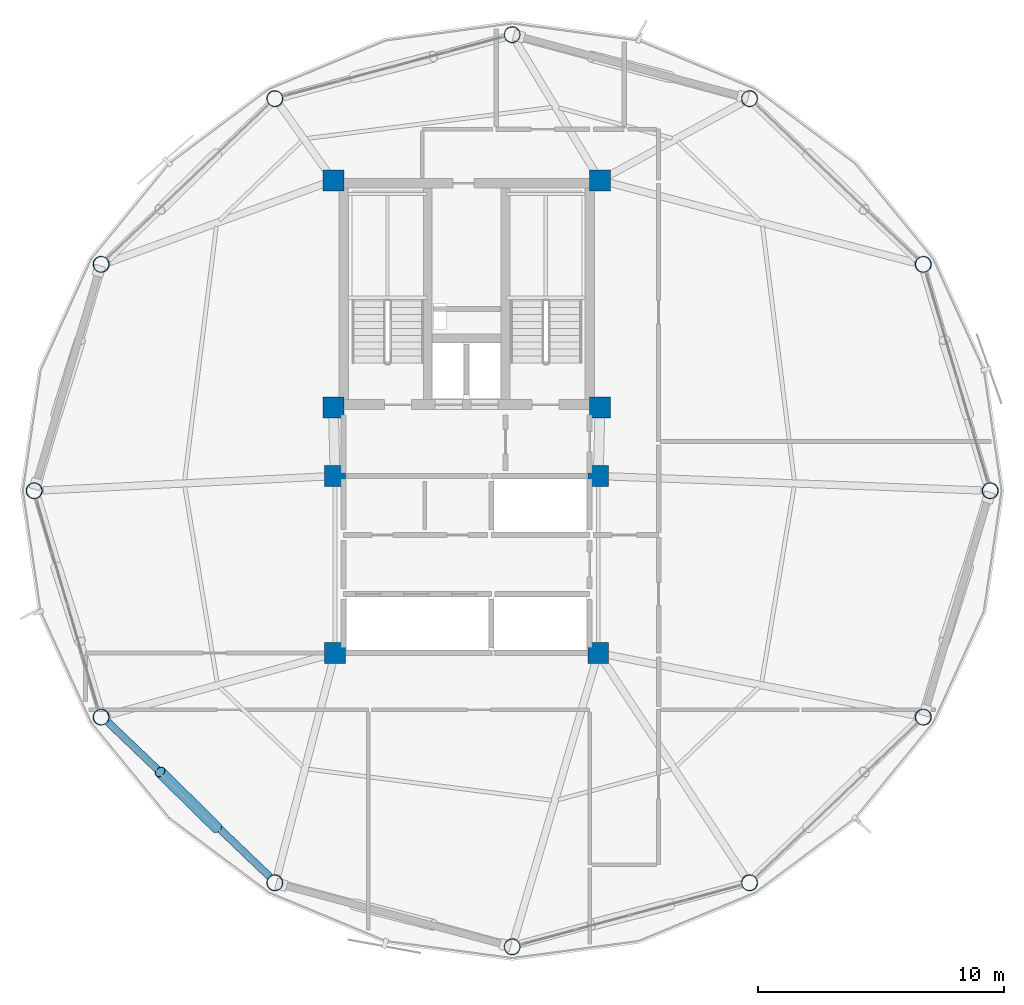
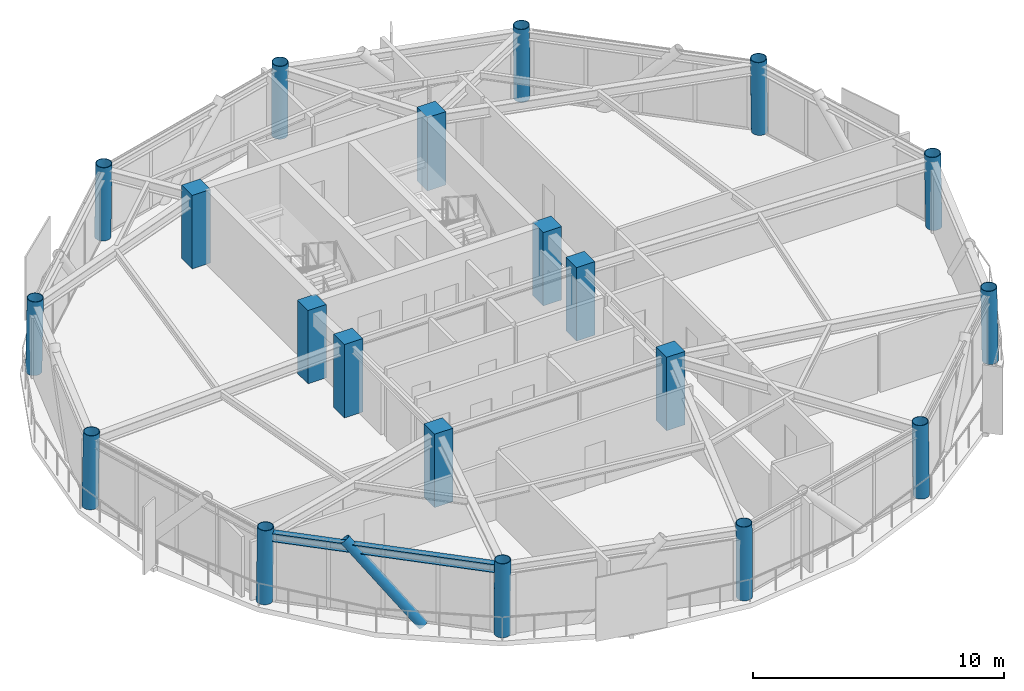
# One storey, part 1 of 28: 20 columns, 1 beam, 1 member.
"""IFC4 building model written with IfcOpenShell, lengths in metres."""

import ifcopenshell
import ifcopenshell.guid

model = None  # the IFC model being written
_history = None  # IfcOwnerHistory: only IFC2X3 demands one
_inside = {}  # id of a spatial element -> (the spatial element, [elements in it])
_under = {}  # id of a project, library or spatial element -> (it, [spatial elements below it])
_declared = {}  # id of a project -> (the project, [libraries it declares])
_typed = {}  # id of a type object -> (the type object, [elements of that type])
_made_of = {}  # id of a material, layer set ... -> (it, [elements and type objects made of it])


def new_model(schema):
    """Start an empty IFC model of exactly this schema.

    Asked for "IFC4X3", IfcOpenShell would pick the latest addendum, in which some entities
    have other attributes; the version numbers below select the first issue.
    IFC2X3 requires an IfcOwnerHistory on every rooted entity: one is made here for all.
    """
    global model, _history
    if schema == "IFC4X3":
        model = ifcopenshell.file(schema_version=(4, 3, 0, 0))
    else:
        model = ifcopenshell.file(schema=schema)
    _inside.clear()
    _under.clear()
    _declared.clear()
    _typed.clear()
    _made_of.clear()
    _history = None
    if model.schema == "IFC2X3":
        org = make("IfcOrganization", Name="unknown")
        user = make(
            "IfcPersonAndOrganization",
            ThePerson=make("IfcPerson", FamilyName="unknown"),
            TheOrganization=org,
        )
        app = make(
            "IfcApplication",
            ApplicationDeveloper=org,
            Version="unknown",
            ApplicationFullName="unknown",
            ApplicationIdentifier="unknown",
        )
        _history = make(
            "IfcOwnerHistory",
            OwningUser=user,
            OwningApplication=app,
            ChangeAction="ADDED",
            CreationDate=0,
        )
    return model


def make(cls, **values):
    """One entity of the class cls with the attributes given. An attribute that is None is left unset."""
    return model.create_entity(
        cls, **{name: value for name, value in values.items() if value is not None}
    )


def rooted(cls, **values):
    """An entity with a GlobalId (a new one), such as an element, a storey or a relation."""
    return make(cls, GlobalId=ifcopenshell.guid.new(), OwnerHistory=_history, **values)


def si_unit(unit_type, name, prefix=None):
    """IfcSIUnit, for example si_unit("LENGTHUNIT", "METRE", prefix="MILLI")."""
    return make("IfcSIUnit", UnitType=unit_type, Prefix=prefix, Name=name)


def assignment(units):
    """IfcUnitAssignment: the units of a project."""
    return None if units is None else make("IfcUnitAssignment", Units=units)


def point(xyz):
    """IfcCartesianPoint."""
    return None if xyz is None else make("IfcCartesianPoint", Coordinates=xyz)


def direction(xyz):
    """IfcDirection."""
    return None if xyz is None else make("IfcDirection", DirectionRatios=xyz)


def frame(location, z_axis=None, x_axis=None):
    """IfcAxis2Placement3D, a coordinate frame: its origin and axes. An axis left out is left unset."""
    return make(
        "IfcAxis2Placement3D",
        Location=point(location),
        Axis=direction(z_axis),
        RefDirection=direction(x_axis),
    )


def frame_2d(location, x_axis=None):
    """IfcAxis2Placement2D, a coordinate frame in the plane: its origin and x axis."""
    return make(
        "IfcAxis2Placement2D", Location=point(location), RefDirection=direction(x_axis)
    )


def origin():
    """The frame at (0, 0, 0) with its axes left unset."""
    return frame((0.0, 0.0, 0.0))


def origin_2d():
    """The frame at (0, 0) in the plane with its x axis left unset."""
    return frame_2d((0.0, 0.0))


def place(relative_to, where):
    """IfcLocalPlacement: puts the frame where relative to a parent placement (None: the world)."""
    return make(
        "IfcLocalPlacement", PlacementRelTo=relative_to, RelativePlacement=where
    )


def context(
    kind, dimensions, precision=None, world=None, true_north=None, identifier=None
):
    """IfcGeometricRepresentationContext, for example the 3D "Model" context."""
    return make(
        "IfcGeometricRepresentationContext",
        ContextIdentifier=identifier,
        ContextType=kind,
        CoordinateSpaceDimension=dimensions,
        Precision=precision,
        WorldCoordinateSystem=world,
        TrueNorth=true_north,
    )


def subcontext(parent, identifier, kind, view, scale=None):
    """IfcGeometricRepresentationSubContext, for example "Body" below "Model"."""
    return make(
        "IfcGeometricRepresentationSubContext",
        ContextIdentifier=identifier,
        ContextType=kind,
        ParentContext=parent,
        TargetScale=scale,
        TargetView=view,
    )


def project(units=None, contexts=None):
    """IfcProject with its units and contexts."""
    return rooted(
        "IfcProject",
        Name="project",
        RepresentationContexts=contexts,
        UnitsInContext=assignment(units),
    )


def spatial(cls, under=None, at=None, **own):
    """A site, building, storey or space (cls), placed at a placement, below another one or the project."""
    s = rooted(cls, ObjectPlacement=at, **own)
    if under is not None:
        _under.setdefault(under.id(), (under, []))[1].append(s)
    return s


def profile(cls, at=None, kind="AREA", **sizes):
    """A parametric profile (cls). Its sizes go by their IFC names, for example OverallWidth=200.0."""
    return make(cls, ProfileType=kind, Position=at, **sizes)


def rectangle(**sizes):
    """IfcRectangleProfileDef."""
    return profile("IfcRectangleProfileDef", **sizes)


def hollow_circle(**sizes):
    """IfcCircleHollowProfileDef."""
    return profile("IfcCircleHollowProfileDef", **sizes)


def i_section(**sizes):
    """IfcIShapeProfileDef."""
    return profile("IfcIShapeProfileDef", **sizes)


def extrude(swept, where, along, depth):
    """IfcExtrudedAreaSolid: the profile swept, set in the frame where, extruded along a direction by depth."""
    return make(
        "IfcExtrudedAreaSolid",
        SweptArea=swept,
        Position=where,
        ExtrudedDirection=direction(along),
        Depth=depth,
    )


def shape(context_of_items, identifier, shape_type, items):
    """IfcShapeRepresentation: the items that make up one representation, for example the "Body"."""
    return make(
        "IfcShapeRepresentation",
        ContextOfItems=context_of_items,
        RepresentationIdentifier=identifier,
        RepresentationType=shape_type,
        Items=items,
    )


def material(Name=None, Category=None):
    """IfcMaterial."""
    return make("IfcMaterial", Name=Name, Category=Category)


def material_profile(
    of_material, cross_section, Name=None, Category=None, Priority=None
):
    """IfcMaterialProfile: a cross section and its material."""
    return make(
        "IfcMaterialProfile",
        Name=Name,
        Material=of_material,
        Profile=cross_section,
        Priority=Priority,
        Category=Category,
    )


def profile_set(profiles, Name=None, composite=None):
    """IfcMaterialProfileSet."""
    return make(
        "IfcMaterialProfileSet",
        Name=Name,
        MaterialProfiles=profiles,
        CompositeProfile=composite,
    )


def made_of(thing, what):
    """Note that an element or type object is made of a material, layer set ...; save() writes the relation."""
    if what is not None:
        _made_of.setdefault(what.id(), (what, []))[1].append(thing)
    return thing


def type_object(cls, material=None, **own):
    """A type object (cls), such as IfcWallType, which elements share."""
    return made_of(rooted(cls, **own), material)


def element(
    cls,
    number,
    at=None,
    inside=None,
    cuts=None,
    type_object=None,
    material=None,
    context=None,
    identifier="Body",
    shape_type=None,
    held_by="IfcProductDefinitionShape",
    body=None,
    shapes=None,
    **own,
):
    """One element of the class cls, such as IfcWall. Its Tag is "e" and its number.

    at: its placement. inside: the storey or other place that contains it. cuts: it is an
    opening in that element (IfcRelVoidsElement). A single representation is given by context,
    identifier, shape_type and body (its items); several are given by shapes. held_by: the class
    of the entity that holds the representations. save() writes the other relations.
    """
    e = rooted(cls, Tag="e%d" % number, ObjectPlacement=at, **own)
    if body is not None:
        shapes = [shape(context, identifier, shape_type, body)]
    if shapes is not None:
        e.Representation = make(held_by, Representations=shapes)
    if inside is not None:
        _inside.setdefault(inside.id(), (inside, []))[1].append(e)
    if cuts is not None:
        rooted(
            "IfcRelVoidsElement", RelatingBuildingElement=cuts, RelatedOpeningElement=e
        )
    if type_object is not None:
        _typed.setdefault(type_object.id(), (type_object, []))[1].append(e)
    return made_of(e, material)


def aggregate(whole, parts):
    """IfcRelAggregates: a whole, such as a stair, and the parts it consists of."""
    return rooted("IfcRelAggregates", RelatingObject=whole, RelatedObjects=parts)


def save(model, path):
    """Write the relations noted so far, then the file.

    IfcRelAggregates (storeys below a building ...), IfcRelContainedInSpatialStructure (elements
    in a storey), IfcRelDefinesByType, IfcRelAssociatesMaterial and IfcRelDeclares: one each for
    every whole, place, type object, material and project.
    """
    for whole, parts in _under.values():
        aggregate(whole, parts)
    for where, things in _inside.values():
        rooted(
            "IfcRelContainedInSpatialStructure",
            RelatedElements=things,
            RelatingStructure=where,
        )
    for kind, things in _typed.values():
        rooted("IfcRelDefinesByType", RelatedObjects=things, RelatingType=kind)
    for what, things in _made_of.values():
        rooted("IfcRelAssociatesMaterial", RelatedObjects=things, RelatingMaterial=what)
    for by, libraries in _declared.values():
        rooted("IfcRelDeclares", RelatingContext=by, RelatedDefinitions=libraries)
    model.write(path)


model = new_model("IFC4")

# Units and contexts
model_context = context("Model", 3, precision=1e-05, world=origin(), true_north=direction((0.0, 1.0)))
body_context = subcontext(model_context, "Body", "Model", "MODEL_VIEW")
ifc_project = project(units=[si_unit("LENGTHUNIT", "METRE"), si_unit("AREAUNIT", "SQUARE_METRE"), si_unit("VOLUMEUNIT", "CUBIC_METRE"), si_unit("PLANEANGLEUNIT", "RADIAN"), si_unit("MASSUNIT", "GRAM", prefix="KILO")], contexts=[model_context])

# Site, building, storey
site_placement = place(None, origin())
site = spatial("IfcSite", under=ifc_project, at=site_placement, CompositionType="ELEMENT")
building_placement = place(site_placement, origin())
building = spatial("IfcBuilding", under=site, at=building_placement, Name="Varnakorn Sky Granary", CompositionType="ELEMENT")
storey_placement = place(building_placement, frame((0.0, 0.0, 196.800048828125)))
storey = spatial("IfcBuildingStorey", under=building, at=storey_placement, Name="L49", CompositionType="ELEMENT", Elevation=196.800048828125)

# Columns
ifc_material_1 = material(Name="Steel S460M", Category="steel")
ifc_material_profile_1 = material_profile(ifc_material_1, hollow_circle(Radius=0.330078125, WallThickness=0.02490234375, at=origin_2d()), Name="CHS 660x25")
ifc_profile_set_1 = profile_set([ifc_material_profile_1], Name="Steel S460M")
column_type_1 = type_object("IfcColumnType", Name="COL-DC-Z4", PredefinedType="COLUMN", material=ifc_profile_set_1)
column_1_placement = place(storey_placement, frame((24.2939453125, 0.0, 0.0), z_axis=(-0.018981760075, 0.0, 0.999819830162), x_axis=(0.0, -1.0, 0.0)))
element("IfcColumn", 1, at=column_1_placement, inside=storey, type_object=column_type_1, Name="Drum Perimeter Column DC01 L49", PredefinedType="COLUMN", context=body_context, shape_type="SweptSolid", body=[
    extrude(hollow_circle(Radius=0.330078125, WallThickness=0.02490234375, at=origin_2d()), origin(), (0.0, 0.0, 1.0), 3.57568359375),
])
column_2_placement = place(storey_placement, frame((21.572021484375, 9.2060546875, 0.0), z_axis=(-0.016455959383, -0.00477973924, 0.999853166967), x_axis=(0.278928739366, -0.960311802674, 0.0)))
element("IfcColumn", 2, at=column_2_placement, inside=storey, type_object=column_type_1, Name="Drum Perimeter Column DC02 L49", PredefinedType="COLUMN", context=body_context, shape_type="SweptSolid", body=[
    extrude(hollow_circle(Radius=0.330078125, WallThickness=0.02490234375, at=origin_2d()), origin(), (0.0, 0.0, 1.0), 3.575439453125),
])
for number, where, z_axis, x_axis, name in (
    (3, (14.50439453125, 15.9453125, 0.0), (-0.00949183863, -0.008262679671, 0.999920813427), (0.656581650754, -0.754254954172, 0.0), "Drum Perimeter Column DC03 L49"),
    (4, (4.85009765625, 18.547119140625, 0.0), (0.0, -0.00956044538, 0.999954297898), (1.0, 0.0, 0.0), "Drum Perimeter Column DC04 L49"),
    (5, (-4.804443359375, 15.9453125, 0.0), (0.00949183863, -0.008262679671, 0.999920813427), (0.656581650754, 0.754254954172, 0.0), "Drum Perimeter Column DC05 L49"),
):
    element("IfcColumn", number, at=place(storey_placement, frame(where, z_axis=z_axis, x_axis=x_axis)), inside=storey, type_object=column_type_1, Name=name, PredefinedType="COLUMN", context=body_context, shape_type="SweptSolid", body=[
        extrude(hollow_circle(Radius=0.330078125, WallThickness=0.02490234375, at=origin_2d()), origin(), (0.0, 0.0, 1.0), 3.5751953125),
    ])
column_3_placement = place(storey_placement, frame((-11.8720703125, 9.2060546875, 0.0), z_axis=(0.016455959383, -0.00477973924, 0.999853166967), x_axis=(0.278928739366, 0.960311802674, 0.0)))
element("IfcColumn", 6, at=column_3_placement, inside=storey, type_object=column_type_1, Name="Drum Perimeter Column DC06 L49", PredefinedType="COLUMN", context=body_context, shape_type="SweptSolid", body=[
    extrude(hollow_circle(Radius=0.330078125, WallThickness=0.02490234375, at=origin_2d()), origin(), (0.0, 0.0, 1.0), 3.575439453125),
])
column_4_placement = place(storey_placement, frame((-14.593994140625, 0.0, 0.0), z_axis=(0.019050015053, 0.0, 0.999818531998), x_axis=(0.0, 1.0, 0.0)))
element("IfcColumn", 7, at=column_4_placement, inside=storey, type_object=column_type_1, Name="Drum Perimeter Column DC07 L49", PredefinedType="COLUMN", context=body_context, shape_type="SweptSolid", body=[
    extrude(hollow_circle(Radius=0.330078125, WallThickness=0.02490234375, at=origin_2d()), origin(), (0.0, 0.0, 1.0), 3.57568359375),
])
column_5_placement = place(storey_placement, frame((-11.8720703125, -9.2060546875, 0.0), z_axis=(0.016455959383, 0.00477973924, 0.999853166967), x_axis=(-0.278928739366, 0.960311802674, 0.0)))
element("IfcColumn", 8, at=column_5_placement, inside=storey, type_object=column_type_1, Name="Drum Perimeter Column DC08 L49", PredefinedType="COLUMN", context=body_context, shape_type="SweptSolid", body=[
    extrude(hollow_circle(Radius=0.330078125, WallThickness=0.02490234375, at=origin_2d()), origin(), (0.0, 0.0, 1.0), 3.575439453125),
])
for number, where, z_axis, x_axis, name in (
    (9, (-4.804443359375, -15.9453125, 0.0), (0.00949183863, 0.008262679671, 0.999920813427), (-0.656581650754, 0.754254954172, 0.0), "Drum Perimeter Column DC09 L49"),
    (10, (4.85009765625, -18.547119140625, 0.0), (0.0, 0.00956044538, 0.999954297898), (-1.0, 0.0, 0.0), "Drum Perimeter Column DC10 L49"),
    (11, (14.50439453125, -15.9453125, 0.0), (-0.00949183863, 0.008262679671, 0.999920813427), (-0.656581650754, -0.754254954172, 0.0), "Drum Perimeter Column DC11 L49"),
):
    element("IfcColumn", number, at=place(storey_placement, frame(where, z_axis=z_axis, x_axis=x_axis)), inside=storey, type_object=column_type_1, Name=name, PredefinedType="COLUMN", context=body_context, shape_type="SweptSolid", body=[
        extrude(hollow_circle(Radius=0.330078125, WallThickness=0.02490234375, at=origin_2d()), origin(), (0.0, 0.0, 1.0), 3.5751953125),
    ])
column_6_placement = place(storey_placement, frame((21.572021484375, -9.2060546875, 0.0), z_axis=(-0.016455959383, 0.00477973924, 0.999853166967), x_axis=(-0.278928739366, -0.960311802674, 0.0)))
element("IfcColumn", 12, at=column_6_placement, inside=storey, type_object=column_type_1, Name="Drum Perimeter Column DC12 L49", PredefinedType="COLUMN", context=body_context, shape_type="SweptSolid", body=[
    extrude(hollow_circle(Radius=0.330078125, WallThickness=0.02490234375, at=origin_2d()), origin(), (0.0, 0.0, 1.0), 3.575439453125),
])
ifc_material_2 = material(Name="Concrete C50/60", Category="concrete")
ifc_material_profile_2 = material_profile(ifc_material_2, rectangle(XDim=0.85009765625, YDim=0.85009765625, at=origin_2d()), Name="RC 850x850")
ifc_profile_set_2 = profile_set([ifc_material_profile_2], Name="Concrete C50/60")
column_type_2 = type_object("IfcColumnType", Name="COL-MC-Z4", PredefinedType="COLUMN", material=ifc_profile_set_2)
for number, where, z_axis, x_axis, name in (
    (13, (-2.419921875, 12.6201171875, 0.0), (0.0, 0.0, 1.0), (1.0, 0.0, 0.0), "Backbone Mega-Column MC1 L49"),
    (14, (8.419921875, 12.6201171875, 0.0), (0.0, 0.0, 1.0), (1.0, 0.0, 0.0), "Backbone Mega-Column MC2 L49"),
    (15, (-2.419921875, 3.3798828125, 0.0), (0.0, 0.0, 1.0), (1.0, 0.0, 0.0), "Backbone Mega-Column MC3 L49"),
    (16, (8.419921875, 3.3798828125, 0.0), (0.0, 0.0, 1.0), (1.0, 0.0, 0.0), "Backbone Mega-Column MC4 L49"),
    (17, (-2.35009765625, 0.60009765625, 0.0), (0.0, 0.0, 1.0), (1.0, 0.0, 0.0), "Backbone Mega-Column MC5 L49"),
    (18, (8.35009765625, 0.60009765625, 0.0), (0.0, 0.0, 1.0), (1.0, 0.0, 0.0), "Backbone Mega-Column MC6 L49"),
    (19, (-2.35009765625, -6.60009765625, 0.0), (0.0, 0.0, 1.0), (1.0, 0.0, 0.0), "Backbone Mega-Column MC7 L49"),
    (20, (8.35009765625, -6.60009765625, 0.0), (0.0, 0.0, 1.0), (1.0, 0.0, 0.0), "Backbone Mega-Column MC8 L49"),
):
    element("IfcColumn", number, at=place(storey_placement, frame(where, z_axis=z_axis, x_axis=x_axis)), inside=storey, type_object=column_type_2, Name=name, PredefinedType="COLUMN", context=body_context, shape_type="SweptSolid", body=[
        extrude(rectangle(XDim=0.85009765625, YDim=0.85009765625, at=origin_2d()), origin(), (0.0, 0.0, 1.0), 3.574951171875),
    ])

# Beam
ifc_material_3 = material(Name="Steel S355JR", Category="steel")
ifc_material_profile_3 = material_profile(ifc_material_3, i_section(OverallWidth=0.300048828125, OverallDepth=0.39990234375, WebThickness=0.013427734375, FlangeThickness=0.02392578125, at=origin_2d()), Name="HE 400 B")
ifc_profile_set_3 = profile_set([ifc_material_profile_3], Name="Steel S355JR")
beam_type = type_object("IfcBeamType", Name="BM-SPD-Z4", PredefinedType="SPANDREL", material=ifc_profile_set_3)
beam_placement = place(storey_placement, frame((-11.58544921875, -9.406494140625, 3.159912109375), z_axis=(0.723135849748, -0.69070582943, 0.0), x_axis=(0.69070582943, 0.723135849748, 0.0)))
element("IfcBeam", 21, at=beam_placement, inside=storey, type_object=beam_type, Name="Perimeter Spandrel Ring Beam RB08 L49", PredefinedType="SPANDREL", context=body_context, shape_type="SweptSolid", body=[
    extrude(i_section(OverallWidth=0.300048828125, OverallDepth=0.39990234375, WebThickness=0.013427734375, FlangeThickness=0.02392578125, at=origin_2d()), origin(), (0.0, 0.0, 1.0), 9.109130859375),
])

# Member
ifc_material_profile_4 = material_profile(ifc_material_1, hollow_circle(Radius=0.228515625, WallThickness=0.01611328125, at=origin_2d()), Name="CHS 457x16")
ifc_profile_set_4 = profile_set([ifc_material_profile_4], Name="Steel S460M")
member_type = type_object("IfcMemberType", Name="MB-DIAG-T3", PredefinedType="BRACE", material=ifc_profile_set_4)
member_placement = place(storey_placement, frame((-7.160400390625, -13.698974609375, -0.130126953125), z_axis=(-0.474905544768, 0.467159786041, 0.745805911652), x_axis=(-0.701269172447, -0.712896589819, 0.0)))
element("IfcMember", 22, at=member_placement, inside=storey, type_object=member_type, Name="Perimeter CHS Diagrid Brace DG08 L49", PredefinedType="BRACE", context=body_context, shape_type="SweptSolid", body=[
    extrude(hollow_circle(Radius=0.228515625, WallThickness=0.01611328125, at=origin_2d()), origin(), (0.0, 0.0, 1.0), 4.85400390625),
])

save(model, "model.ifc")
